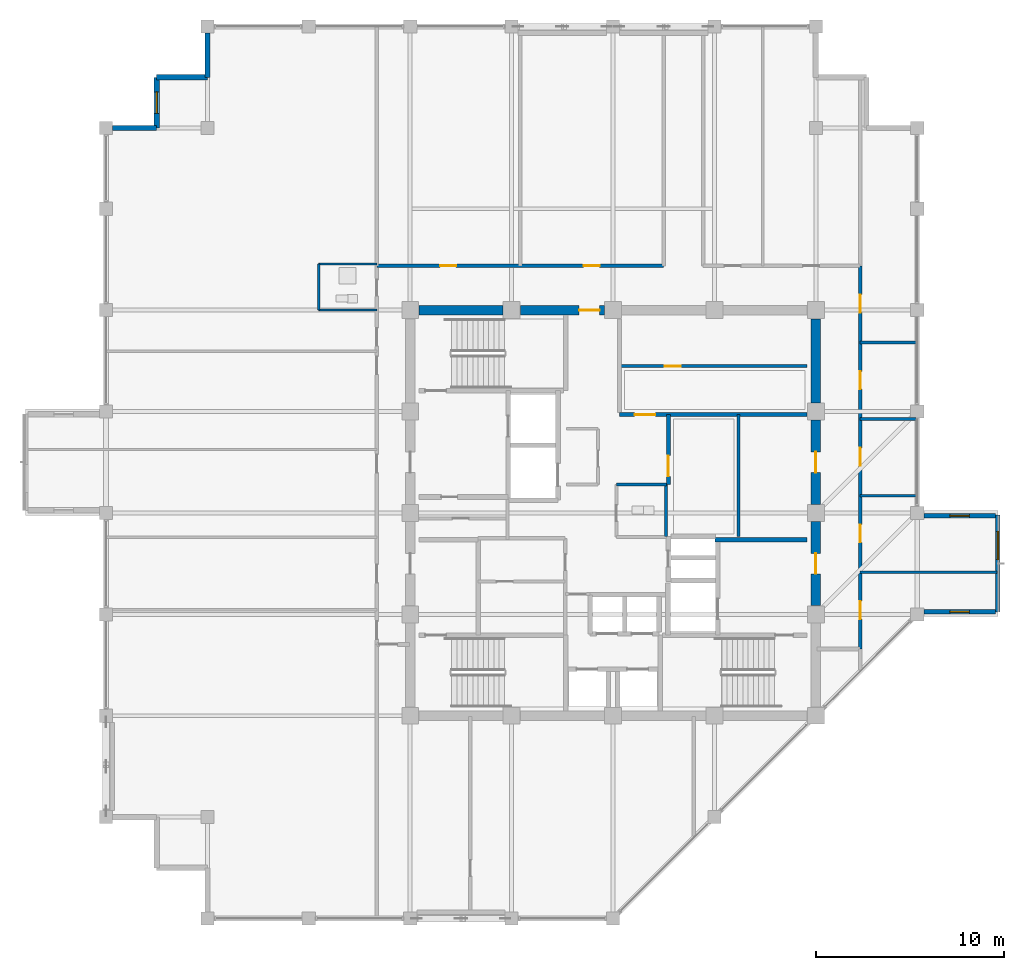
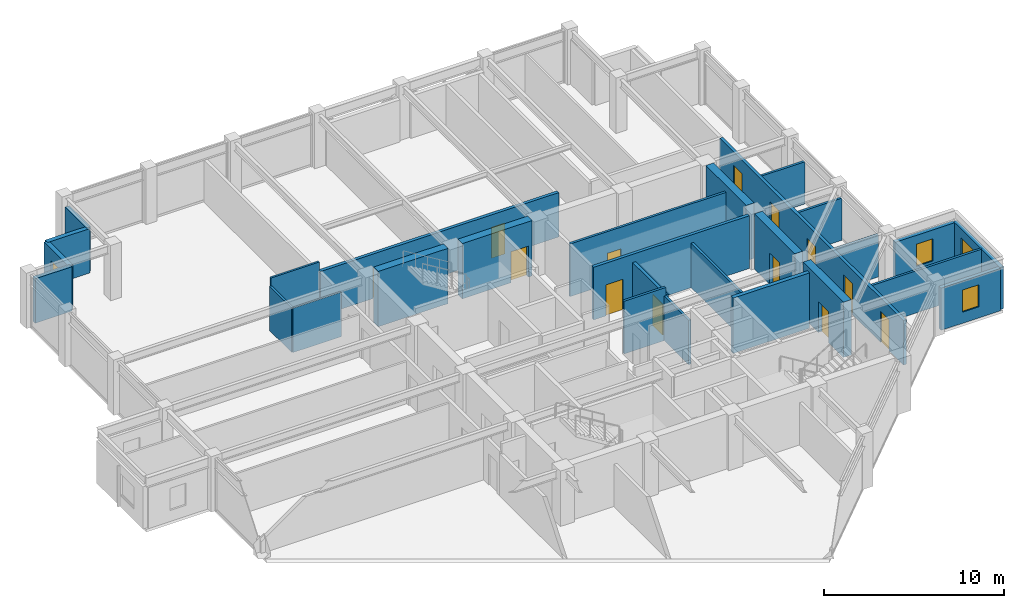
# One storey, part 27 of 31: 28 walls, 13 doors, 4 windows, 17 openings.
"""IFC4 building model written with IfcOpenShell, lengths in metres."""

from ifc_helpers import new_model, si_unit, direction, frame, frame_2d, origin, place, context, subcontext, project, spatial, rectangle, extrude, material, layer, layer_set, type_object, element, fill, save


model = new_model("IFC4")

# Units and contexts
model_context = context("Model", 3, precision=1e-05, world=origin(), true_north=direction((0.0, 1.0)))
body_context = subcontext(model_context, "Body", "Model", "MODEL_VIEW")
ifc_project = project(units=[si_unit("LENGTHUNIT", "METRE"), si_unit("AREAUNIT", "SQUARE_METRE"), si_unit("VOLUMEUNIT", "CUBIC_METRE"), si_unit("PLANEANGLEUNIT", "RADIAN"), si_unit("MASSUNIT", "GRAM", prefix="KILO")], contexts=[model_context])

# Site, building, storey
site_placement = place(None, origin())
site = spatial("IfcSite", under=ifc_project, at=site_placement, CompositionType="ELEMENT")
building_placement = place(site_placement, origin())
building = spatial("IfcBuilding", under=site, at=building_placement, Name="Surkhivell Harbour Commons", CompositionType="ELEMENT")
storey_placement = place(building_placement, frame((0.0, 0.0, 318.75)))
storey = spatial("IfcBuildingStorey", under=building, at=storey_placement, Name="L83", CompositionType="ELEMENT", Elevation=318.75)

# Wall
ifc_material_1 = material(Name="Concrete C50/60", Category="concrete")
ifc_layer_1 = layer(ifc_material_1, 0.5)
ifc_layer_set_1 = layer_set([ifc_layer_1], Name="Concrete C50/60")
wall_type_1 = type_object("IfcWallType", Name="WAL-CORE-500", PredefinedType="SHEAR", material=ifc_layer_set_1)
wall_1_placement = place(storey_placement, frame((-10.340087890625, 10.800048828125, 0.0), z_axis=(0.0, 0.0, 1.0), x_axis=(1.0, 0.0, 0.0)))
element("IfcWall", 1, at=wall_1_placement, inside=storey, type_object=wall_type_1, Name="L83 Core Shear Wall North 1", PredefinedType="SHEAR", context=body_context, shape_type="SweptSolid", body=[
    extrude(rectangle(XDim=4.47998046875, YDim=0.5, at=frame_2d((2.239990234375, 0.0))), origin(), (0.0, 0.0, 1.0), 3.75),
])

# Wall, opening, door
wall_2_placement = place(storey_placement, frame((-4.93994140625, 10.800048828125, 0.0), z_axis=(0.0, 0.0, 1.0), x_axis=(1.0, 0.0, 0.0)))
wall_2 = element("IfcWall", 2, at=wall_2_placement, inside=storey, type_object=wall_type_1, Name="L83 Core Shear Wall North 2", PredefinedType="SHEAR", context=body_context, shape_type="SweptSolid", body=[
    extrude(rectangle(XDim=4.47998046875, YDim=0.5, at=frame_2d((2.239990234375, 0.0))), origin(), (0.0, 0.0, 1.0), 3.75),
])
opening_1_placement = place(wall_2_placement, frame((3.1298828125, 0.0, 0.0)))
opening_1 = element("IfcOpeningElement", 3, at=opening_1_placement, cuts=wall_2, Name="Opening ID-2", PredefinedType="OPENING", context=body_context, shape_type="SweptSolid", body=[
    extrude(rectangle(XDim=1.10009765625, YDim=2.10009765625, at=frame_2d((0.550048828125, 1.050048828125))), frame((0.0, 0.260009765625, 0.0), z_axis=(0.0, -1.0, 0.0), x_axis=(1.0, 0.0, 0.0)), (0.0, 0.0, 1.0), 0.52001953125),
])
ifc_material_2 = material(Name="Hardwood-veneered fire-rated door leaf", Category="wood")
door_type_1 = type_object("IfcDoorType", Name="DOR-FD60-1100", OperationType="NOTDEFINED", PredefinedType="DOOR", material=ifc_material_2)
door_1_placement = place(opening_1_placement, origin())
door_1 = element("IfcDoor", 4, at=door_1_placement, inside=storey, type_object=door_type_1, Name="L83 Central Core Lift Hall North Corridor Door", OperationType="SINGLE_SWING_LEFT", OverallHeight=2.10009765625, OverallWidth=1.10009765625, PredefinedType="DOOR", context=body_context, shape_type="SweptSolid", body=[
    extrude(rectangle(XDim=1.10009765625, YDim=2.10009765625, at=frame_2d((0.550048828125, 1.050048828125))), frame((0.0, 0.02490234375, 0.0), z_axis=(0.0, -1.0, 0.0), x_axis=(1.0, 0.0, 0.0)), (0.0, 0.0, 1.0), 0.050048828125),
])
fill(opening_1, door_1)

wall_3_placement = place(storey_placement, frame((10.800048828125, -4.93994140625, 0.0), z_axis=(0.0, 0.0, 1.0), x_axis=(0.0, 1.0, 0.0)))
wall_3 = element("IfcWall", 5, at=wall_3_placement, inside=storey, type_object=wall_type_1, Name="L83 Core Shear Wall East 2", PredefinedType="SHEAR", context=body_context, shape_type="SweptSolid", body=[
    extrude(rectangle(XDim=4.47998046875, YDim=0.5, at=frame_2d((2.239990234375, 0.0))), origin(), (0.0, 0.0, 1.0), 3.75),
])
opening_2_placement = place(wall_3_placement, frame((1.68994140625, 0.0, 0.0)))
opening_2 = element("IfcOpeningElement", 6, at=opening_2_placement, cuts=wall_3, Name="Opening ID-1", PredefinedType="OPENING", context=body_context, shape_type="SweptSolid", body=[
    extrude(rectangle(XDim=1.10009765625, YDim=2.10009765625, at=frame_2d((0.550048828125, 1.050048828125))), frame((0.0, 0.260009765625, 0.0), z_axis=(0.0, -1.0, 0.0), x_axis=(1.0, 0.0, 0.0)), (0.0, 0.0, 1.0), 0.52001953125),
])
door_type_2 = type_object("IfcDoorType", Name="DOR-FD120-1100", OperationType="NOTDEFINED", PredefinedType="DOOR", material=ifc_material_2)
door_2_placement = place(opening_2_placement, origin())
door_2 = element("IfcDoor", 7, at=door_2_placement, inside=storey, type_object=door_type_2, Name="L83 Firefighting Lobby 2 Corridor Door", OperationType="SINGLE_SWING_RIGHT", OverallHeight=2.10009765625, OverallWidth=1.10009765625, PredefinedType="DOOR", context=body_context, shape_type="SweptSolid", body=[
    extrude(rectangle(XDim=1.10009765625, YDim=2.10009765625, at=frame_2d((0.550048828125, 1.050048828125))), frame((0.0, 0.02490234375, 0.0), z_axis=(0.0, -1.0, 0.0), x_axis=(1.0, 0.0, 0.0)), (0.0, 0.0, 1.0), 0.050048828125),
])
fill(opening_2, door_2)

wall_4_placement = place(storey_placement, frame((10.800048828125, 0.4599609375, 0.0), z_axis=(0.0, 0.0, 1.0), x_axis=(0.0, 1.0, 0.0)))
wall_4 = element("IfcWall", 8, at=wall_4_placement, inside=storey, type_object=wall_type_1, Name="L83 Core Shear Wall East 3", PredefinedType="SHEAR", context=body_context, shape_type="SweptSolid", body=[
    extrude(rectangle(XDim=4.47998046875, YDim=0.5, at=frame_2d((2.239990234375, 0.0))), origin(), (0.0, 0.0, 1.0), 3.75),
])
opening_3_placement = place(wall_4_placement, frame((1.68994140625, 0.0, 0.0)))
opening_3 = element("IfcOpeningElement", 9, at=opening_3_placement, cuts=wall_4, Name="Opening ID-2", PredefinedType="OPENING", context=body_context, shape_type="SweptSolid", body=[
    extrude(rectangle(XDim=1.10009765625, YDim=2.10009765625, at=frame_2d((0.550048828125, 1.050048828125))), frame((0.0, 0.260009765625, 0.0), z_axis=(0.0, -1.0, 0.0), x_axis=(1.0, 0.0, 0.0)), (0.0, 0.0, 1.0), 0.52001953125),
])
door_3_placement = place(opening_3_placement, origin())
door_3 = element("IfcDoor", 10, at=door_3_placement, inside=storey, type_object=door_type_1, Name="L83 Core Seminar East Door", OperationType="SINGLE_SWING_RIGHT", OverallHeight=2.10009765625, OverallWidth=1.10009765625, PredefinedType="DOOR", context=body_context, shape_type="SweptSolid", body=[
    extrude(rectangle(XDim=1.10009765625, YDim=2.10009765625, at=frame_2d((0.550048828125, 1.050048828125))), frame((0.0, 0.02490234375, 0.0), z_axis=(0.0, -1.0, 0.0), x_axis=(1.0, 0.0, 0.0)), (0.0, 0.0, 1.0), 0.050048828125),
])
fill(opening_3, door_3)

# Wall
wall_5_placement = place(storey_placement, frame((10.800048828125, 5.860107421875, 0.0), z_axis=(0.0, 0.0, 1.0), x_axis=(0.0, 1.0, 0.0)))
element("IfcWall", 11, at=wall_5_placement, inside=storey, type_object=wall_type_1, Name="L83 Core Shear Wall East 4", PredefinedType="SHEAR", context=body_context, shape_type="SweptSolid", body=[
    extrude(rectangle(XDim=4.47998046875, YDim=0.5, at=frame_2d((2.239990234375, 0.0))), origin(), (0.0, 0.0, 1.0), 3.75),
])

# Wall, opening, window
ifc_material_3 = material(Name="Bronze-ochre cassette precast concrete C45/55", Category="concrete")
ifc_layer_2 = layer(ifc_material_3, 0.239990234375)
ifc_layer_set_2 = layer_set([ifc_layer_2], Name="Bronze-ochre cassette precast concrete C45/55")
wall_type_2 = type_object("IfcWallType", Name="WAL-EXT-OCH240", PredefinedType="STANDARD", material=ifc_layer_set_2)
wall_6_placement = place(storey_placement, frame((20.5, -5.280029296875, 0.0), z_axis=(0.0, 0.0, 1.0), x_axis=(0.0, 1.0, 0.0)))
wall_6 = element("IfcWall", 12, at=wall_6_placement, inside=storey, type_object=wall_type_2, Name="L83 Coloured Box Front Wall 01", PredefinedType="STANDARD", context=body_context, shape_type="SweptSolid", body=[
    extrude(rectangle(XDim=5.159912109375, YDim=0.239990234375, at=frame_2d((2.580078125, 0.0))), origin(), (0.0, 0.0, 1.0), 2.85693359375),
])
opening_4_placement = place(wall_6_placement, frame((2.800048828125, 0.0, 0.75)))
opening_4 = element("IfcOpeningElement", 13, at=opening_4_placement, cuts=wall_6, Name="Opening WN-13", PredefinedType="OPENING", context=body_context, shape_type="SweptSolid", body=[
    extrude(rectangle(XDim=1.5, YDim=1.5, at=frame_2d((0.75, 0.75))), frame((0.0, 0.1298828125, 0.0), z_axis=(0.0, -1.0, 0.0), x_axis=(1.0, 0.0, 0.0)), (0.0, 0.0, 1.0), 0.260009765625),
])
ifc_material_4 = material(Name="Thermal-break aluminium frame and double low-E glazing", Category="aluminium")
window_type_1 = type_object("IfcWindowType", Name="WIN-BOX-1500x1500", PartitioningType="SINGLE_PANEL", PredefinedType="WINDOW", material=ifc_material_4)
window_1_placement = place(opening_4_placement, origin())
window_1 = element("IfcWindow", 14, at=window_1_placement, inside=storey, type_object=window_type_1, Name="L83 Coloured Box Square Window 01-1", OverallHeight=1.5, OverallWidth=1.5, PartitioningType="SINGLE_PANEL", PredefinedType="WINDOW", context=body_context, shape_type="SweptSolid", body=[
    extrude(rectangle(XDim=1.5, YDim=1.5, at=frame_2d((0.75, 0.75))), frame((0.0, 0.030029296875, 0.0), z_axis=(0.0, -1.0, 0.0), x_axis=(1.0, 0.0, 0.0)), (0.0, 0.0, 1.0), 0.06005859375),
])
fill(opening_4, window_1)

wall_7_placement = place(storey_placement, frame((16.553955078125, -5.260009765625, 0.0), z_axis=(0.0, 0.0, 1.0), x_axis=(1.0, 0.0, 0.0)))
wall_7 = element("IfcWall", 15, at=wall_7_placement, inside=storey, type_object=wall_type_2, Name="L83 Coloured Box Return Wall 01S", PredefinedType="STANDARD", context=body_context, shape_type="SweptSolid", body=[
    extrude(rectangle(XDim=3.80615234375, YDim=0.239990234375, at=frame_2d((1.903076171875, 0.0))), origin(), (0.0, 0.0, 1.0), 2.85693359375),
])
opening_5_placement = place(wall_7_placement, frame((1.3779296875, 0.0, 0.75)))
opening_5 = element("IfcOpeningElement", 16, at=opening_5_placement, cuts=wall_7, Name="Opening WN-11", PredefinedType="OPENING", context=body_context, shape_type="SweptSolid", body=[
    extrude(rectangle(XDim=1.050048828125, YDim=1.5, at=frame_2d((0.52490234375, 0.75))), frame((0.0, 0.1298828125, 0.0), z_axis=(0.0, -1.0, 0.0), x_axis=(1.0, 0.0, 0.0)), (0.0, 0.0, 1.0), 0.260009765625),
])
window_type_2 = type_object("IfcWindowType", Name="WIN-SER-1050x1500", PartitioningType="SINGLE_PANEL", PredefinedType="WINDOW", material=ifc_material_4)
window_2_placement = place(opening_5_placement, origin())
window_2 = element("IfcWindow", 17, at=window_2_placement, inside=storey, type_object=window_type_2, Name="L83 Coloured Box Return Window 01S", OverallHeight=1.5, OverallWidth=1.050048828125, PartitioningType="SINGLE_PANEL", PredefinedType="WINDOW", context=body_context, shape_type="SweptSolid", body=[
    extrude(rectangle(XDim=1.050048828125, YDim=1.5, at=frame_2d((0.52490234375, 0.75))), frame((0.0, 0.030029296875, 0.0), z_axis=(0.0, -1.0, 0.0), x_axis=(1.0, 0.0, 0.0)), (0.0, 0.0, 1.0), 0.06005859375),
])
fill(opening_5, window_2)

wall_8_placement = place(storey_placement, frame((16.553955078125, -0.139892578125, 0.0), z_axis=(0.0, 0.0, 1.0), x_axis=(1.0, 0.0, 0.0)))
wall_8 = element("IfcWall", 18, at=wall_8_placement, inside=storey, type_object=wall_type_2, Name="L83 Coloured Box Return Wall 01N", PredefinedType="STANDARD", context=body_context, shape_type="SweptSolid", body=[
    extrude(rectangle(XDim=3.80615234375, YDim=0.239990234375, at=frame_2d((1.903076171875, 0.0))), origin(), (0.0, 0.0, 1.0), 2.85693359375),
])
opening_6_placement = place(wall_8_placement, frame((1.3779296875, 0.0, 0.75)))
opening_6 = element("IfcOpeningElement", 19, at=opening_6_placement, cuts=wall_8, Name="Opening WN-11", PredefinedType="OPENING", context=body_context, shape_type="SweptSolid", body=[
    extrude(rectangle(XDim=1.050048828125, YDim=1.5, at=frame_2d((0.52490234375, 0.75))), frame((0.0, 0.1298828125, 0.0), z_axis=(0.0, -1.0, 0.0), x_axis=(1.0, 0.0, 0.0)), (0.0, 0.0, 1.0), 0.260009765625),
])
window_3_placement = place(opening_6_placement, origin())
window_3 = element("IfcWindow", 20, at=window_3_placement, inside=storey, type_object=window_type_2, Name="L83 Coloured Box Return Window 01N", OverallHeight=1.5, OverallWidth=1.050048828125, PartitioningType="SINGLE_PANEL", PredefinedType="WINDOW", context=body_context, shape_type="SweptSolid", body=[
    extrude(rectangle(XDim=1.050048828125, YDim=1.5, at=frame_2d((0.52490234375, 0.75))), frame((0.0, 0.030029296875, 0.0), z_axis=(0.0, -1.0, 0.0), x_axis=(1.0, 0.0, 0.0)), (0.0, 0.0, 1.0), 0.06005859375),
])
fill(opening_6, window_3)

# Walls
ifc_material_5 = material(Name="Terracotta-clad reinforced concrete C45/55", Category="masonry")
ifc_layer_3 = layer(ifc_material_5, 0.280029296875)
ifc_layer_set_3 = layer_set([ifc_layer_3], Name="Terracotta-clad reinforced concrete C45/55")
wall_type_3 = type_object("IfcWallType", Name="WAL-EXT-TER280", PredefinedType="STANDARD", material=ifc_layer_set_3)
wall_9_placement = place(storey_placement, frame((-21.60009765625, 25.552001953125, 0.0), z_axis=(0.0, 0.0, 1.0), x_axis=(0.0, -1.0, 0.0)))
element("IfcWall", 21, at=wall_9_placement, inside=storey, type_object=wall_type_3, Name="L83 Serrated Corner Facade Wall 08", PredefinedType="STANDARD", context=body_context, shape_type="SweptSolid", body=[
    extrude(rectangle(XDim=2.35205078125, YDim=0.280029296875, at=frame_2d((1.176025390625, 0.0))), origin(), (0.0, 0.0, 1.0), 3.012939453125),
])
wall_10_placement = place(storey_placement, frame((-21.60009765625, 23.199951171875, 0.0), z_axis=(0.0, 0.0, 1.0), x_axis=(-1.0, 0.0, 0.0)))
element("IfcWall", 22, at=wall_10_placement, inside=storey, type_object=wall_type_3, Name="L83 Serrated Corner Facade Wall 09", PredefinedType="STANDARD", context=body_context, shape_type="SweptSolid", body=[
    extrude(rectangle(XDim=2.699951171875, YDim=0.280029296875, at=frame_2d((1.35009765625, 0.0))), origin(), (0.0, 0.0, 1.0), 3.012939453125),
])

# Wall, opening, window
wall_11_placement = place(storey_placement, frame((-24.300048828125, 23.199951171875, 0.0), z_axis=(0.0, 0.0, 1.0), x_axis=(0.0, -1.0, 0.0)))
wall_11 = element("IfcWall", 23, at=wall_11_placement, inside=storey, type_object=wall_type_3, Name="L83 Serrated Corner Facade Wall 10", PredefinedType="STANDARD", context=body_context, shape_type="SweptSolid", body=[
    extrude(rectangle(XDim=2.699951171875, YDim=0.280029296875, at=frame_2d((1.35009765625, 0.0))), origin(), (0.0, 0.0, 1.0), 3.012939453125),
])
opening_7_placement = place(wall_11_placement, frame((0.77490234375, 0.0, 0.64990234375)))
opening_7 = element("IfcOpeningElement", 24, at=opening_7_placement, cuts=wall_11, Name="Opening WN-10", PredefinedType="OPENING", context=body_context, shape_type="SweptSolid", body=[
    extrude(rectangle(XDim=1.14990234375, YDim=1.550048828125, at=frame_2d((0.574951171875, 0.77490234375))), frame((0.0, 0.14990234375, 0.0), z_axis=(0.0, -1.0, 0.0), x_axis=(1.0, 0.0, 0.0)), (0.0, 0.0, 1.0), 0.300048828125),
])
window_type_3 = type_object("IfcWindowType", Name="WIN-SER-1150x1550", PartitioningType="SINGLE_PANEL", PredefinedType="WINDOW", material=ifc_material_4)
window_4_placement = place(opening_7_placement, origin())
window_4 = element("IfcWindow", 25, at=window_4_placement, inside=storey, type_object=window_type_3, Name="L83 Serrated Alcove Window 10", OverallHeight=1.550048828125, OverallWidth=1.14990234375, PartitioningType="SINGLE_PANEL", PredefinedType="WINDOW", context=body_context, shape_type="SweptSolid", body=[
    extrude(rectangle(XDim=1.14990234375, YDim=1.550048828125, at=frame_2d((0.574951171875, 0.77490234375))), frame((0.0, 0.030029296875, 0.0), z_axis=(0.0, -1.0, 0.0), x_axis=(1.0, 0.0, 0.0)), (0.0, 0.0, 1.0), 0.06005859375),
])
fill(opening_7, window_4)

# Walls
wall_12_placement = place(storey_placement, frame((-24.300048828125, 20.5, 0.0), z_axis=(0.0, 0.0, 1.0), x_axis=(-1.0, 0.0, 0.0)))
element("IfcWall", 26, at=wall_12_placement, inside=storey, type_object=wall_type_3, Name="L83 Serrated Corner Facade Wall 11", PredefinedType="STANDARD", context=body_context, shape_type="SweptSolid", body=[
    extrude(rectangle(XDim=2.35205078125, YDim=0.280029296875, at=frame_2d((1.176025390625, 0.0))), origin(), (0.0, 0.0, 1.0), 3.012939453125),
])
ifc_material_6 = material(Name="Moisture-resistant acoustic stud partition", Category="other")
ifc_layer_4 = layer(ifc_material_6, 0.125)
ifc_layer_set_4 = layer_set([ifc_layer_4], Name="Moisture-resistant acoustic stud partition")
wall_type_4 = type_object("IfcWallType", Name="WAL-INT-125", PredefinedType="PARTITIONING", material=ifc_layer_set_4)
wall_13_placement = place(storey_placement, frame((-15.679931640625, 10.81005859375, 0.0), z_axis=(0.0, 0.0, 1.0), x_axis=(0.0, 1.0, 0.0)))
element("IfcWall", 27, at=wall_13_placement, inside=storey, type_object=wall_type_4, Name="L83 West Partition BTHB", PredefinedType="PARTITIONING", context=body_context, shape_type="SweptSolid", body=[
    extrude(rectangle(XDim=2.449951171875, YDim=0.125, at=frame_2d((1.22509765625, 0.0))), origin(), (0.0, 0.0, 1.0), 3.012939453125),
])
wall_14_placement = place(storey_placement, frame((-15.679931640625, 13.260009765625, 0.0), z_axis=(0.0, 0.0, 1.0), x_axis=(1.0, 0.0, 0.0)))
element("IfcWall", 28, at=wall_14_placement, inside=storey, type_object=wall_type_4, Name="L83 West Partition BTHN", PredefinedType="PARTITIONING", context=body_context, shape_type="SweptSolid", body=[
    extrude(rectangle(XDim=3.099853515625, YDim=0.125, at=frame_2d((1.5498046875, 0.0))), origin(), (0.0, 0.0, 1.0), 3.570068359375),
])
wall_15_placement = place(storey_placement, frame((-15.679931640625, 10.81005859375, 0.0), z_axis=(0.0, 0.0, 1.0), x_axis=(1.0, 0.0, 0.0)))
element("IfcWall", 29, at=wall_15_placement, inside=storey, type_object=wall_type_4, Name="L83 West Partition BTHS", PredefinedType="PARTITIONING", context=body_context, shape_type="SweptSolid", body=[
    extrude(rectangle(XDim=3.099853515625, YDim=0.125, at=frame_2d((1.5498046875, 0.0))), origin(), (0.0, 0.0, 1.0), 3.012939453125),
])
ifc_material_7 = material(Name="Twin-stud acoustic fireboard partition", Category="other")
ifc_layer_5 = layer(ifc_material_7, 0.14990234375)
ifc_layer_set_5 = layer_set([ifc_layer_5], Name="Twin-stud acoustic fireboard partition")
wall_type_5 = type_object("IfcWallType", Name="WAL-INT-150", PredefinedType="PARTITIONING", material=ifc_layer_set_5)
wall_16_placement = place(storey_placement, frame((2.820068359375, -1.25, 0.0), z_axis=(0.0, 0.0, 1.0), x_axis=(0.0, 1.0, 0.0)))
element("IfcWall", 30, at=wall_16_placement, inside=storey, type_object=wall_type_5, Name="L83 Core WC East Wall", PredefinedType="PARTITIONING", context=body_context, shape_type="SweptSolid", body=[
    extrude(rectangle(XDim=2.77001953125, YDim=0.14990234375, at=frame_2d((1.385009765625, 0.0))), origin(), (0.0, 0.0, 1.0), 3.012939453125),
])
wall_17_placement = place(storey_placement, frame((0.179931640625, 1.52001953125, 0.0), z_axis=(0.0, 0.0, 1.0), x_axis=(1.0, 0.0, 0.0)))
element("IfcWall", 31, at=wall_17_placement, inside=storey, type_object=wall_type_5, Name="L83 Core WC North Wall", PredefinedType="PARTITIONING", context=body_context, shape_type="SweptSolid", body=[
    extrude(rectangle(XDim=2.670166015625, YDim=0.14990234375, at=frame_2d((1.3349609375, 0.0))), origin(), (0.0, 0.0, 1.0), 3.570068359375),
])

# Wall, opening, door
wall_18_placement = place(storey_placement, frame((0.35009765625, 7.820068359375, 0.0), z_axis=(0.0, 0.0, 1.0), x_axis=(1.0, 0.0, 0.0)))
wall_18 = element("IfcWall", 32, at=wall_18_placement, inside=storey, type_object=wall_type_5, Name="L83 Core Archive Partition", PredefinedType="PARTITIONING", context=body_context, shape_type="SweptSolid", body=[
    extrude(rectangle(XDim=9.989990234375, YDim=0.14990234375, at=frame_2d((4.9951171875, 0.0))), origin(), (0.0, 0.0, 1.0), 3.570068359375),
])
opening_8_placement = place(wall_18_placement, frame((2.39990234375, 0.0, 0.0)))
opening_8 = element("IfcOpeningElement", 33, at=opening_8_placement, cuts=wall_18, Name="Opening ID-6", PredefinedType="OPENING", context=body_context, shape_type="SweptSolid", body=[
    extrude(rectangle(XDim=0.85009765625, YDim=2.10009765625, at=frame_2d((0.425048828125, 1.050048828125))), frame((0.0, 0.0849609375, 0.0), z_axis=(0.0, -1.0, 0.0), x_axis=(1.0, 0.0, 0.0)), (0.0, 0.0, 1.0), 0.169921875),
])
door_type_3 = type_object("IfcDoorType", Name="DOR-FD30-850", OperationType="NOTDEFINED", PredefinedType="DOOR", material=ifc_material_2)
door_4_placement = place(opening_8_placement, origin())
door_4 = element("IfcDoor", 34, at=door_4_placement, inside=storey, type_object=door_type_3, Name="L83 Archive Room Door", OperationType="SINGLE_SWING_LEFT", OverallHeight=2.10009765625, OverallWidth=0.85009765625, PredefinedType="DOOR", context=body_context, shape_type="SweptSolid", body=[
    extrude(rectangle(XDim=0.85009765625, YDim=2.10009765625, at=frame_2d((0.425048828125, 1.050048828125))), frame((0.0, 0.02490234375, 0.0), z_axis=(0.0, -1.0, 0.0), x_axis=(1.0, 0.0, 0.0)), (0.0, 0.0, 1.0), 0.050048828125),
])
fill(opening_8, door_4)

# Walls
wall_19_placement = place(storey_placement, frame((6.679931640625, -1.25, 0.0), z_axis=(0.0, 0.0, 1.0), x_axis=(0.0, 1.0, 0.0)))
element("IfcWall", 35, at=wall_19_placement, inside=storey, type_object=wall_type_5, Name="L83 Seminar Room Wall", PredefinedType="PARTITIONING", context=body_context, shape_type="SweptSolid", body=[
    extrude(rectangle(XDim=6.489990234375, YDim=0.14990234375, at=frame_2d((3.2451171875, 0.0))), origin(), (0.0, 0.0, 1.0), 3.012939453125),
])
wall_20_placement = place(storey_placement, frame((13.159912109375, -3.159912109375, 0.0), z_axis=(0.0, 0.0, 1.0), x_axis=(1.0, 0.0, 0.0)))
element("IfcWall", 36, at=wall_20_placement, inside=storey, type_object=wall_type_5, Name="L83 East Partition P1", PredefinedType="PARTITIONING", context=body_context, shape_type="SweptSolid", body=[
    extrude(rectangle(XDim=7.280029296875, YDim=0.14990234375, at=frame_2d((3.64013671875, 0.0))), origin(), (0.0, 0.0, 1.0), 2.85693359375),
])
for number, where, z_axis, x_axis, name in (
    (37, (13.159912109375, 0.919921875, 0.0), (0.0, 0.0, 1.0), (1.0, 0.0, 0.0), "L83 East Partition P2"),
    (38, (13.159912109375, 5.0, 0.0), (0.0, 0.0, 1.0), (1.0, 0.0, 0.0), "L83 East Partition P3"),
    (39, (13.159912109375, 9.080078125, 0.0), (0.0, 0.0, 1.0), (1.0, 0.0, 0.0), "L83 East Partition P4"),
):
    element("IfcWall", number, at=place(storey_placement, frame(where, z_axis=z_axis, x_axis=x_axis)), inside=storey, type_object=wall_type_5, Name=name, PredefinedType="PARTITIONING", context=body_context, shape_type="SweptSolid", body=[
        extrude(rectangle(XDim=2.97998046875, YDim=0.14990234375, at=frame_2d((1.489990234375, 0.0))), origin(), (0.0, 0.0, 1.0), 2.85693359375),
    ])

# Wall, opening, door
ifc_material_8 = material(Name="Autoclaved aerated concrete blockwork and fire plaster", Category="masonry")
ifc_layer_6 = layer(ifc_material_8, 0.199951171875)
ifc_layer_set_6 = layer_set([ifc_layer_6], Name="Autoclaved aerated concrete blockwork and fire plaster")
wall_type_6 = type_object("IfcWallType", Name="WAL-INT-200", PredefinedType="PARTITIONING", material=ifc_layer_set_6)
wall_21_placement = place(storey_placement, frame((0.35009765625, 5.239990234375, 0.0), z_axis=(0.0, 0.0, 1.0), x_axis=(1.0, 0.0, 0.0)))
wall_21 = element("IfcWall", 40, at=wall_21_placement, inside=storey, type_object=wall_type_6, Name="L83 Reclaimed Core North Bay South Wall", PredefinedType="PARTITIONING", context=body_context, shape_type="SweptSolid", body=[
    extrude(rectangle(XDim=9.989990234375, YDim=0.199951171875, at=frame_2d((4.9951171875, 0.0))), origin(), (0.0, 0.0, 1.0), 3.570068359375),
])
opening_9_placement = place(wall_21_placement, frame((0.800048828125, 0.0, 0.0)))
opening_9 = element("IfcOpeningElement", 41, at=opening_9_placement, cuts=wall_21, Name="Opening ID-2", PredefinedType="OPENING", context=body_context, shape_type="SweptSolid", body=[
    extrude(rectangle(XDim=1.10009765625, YDim=2.10009765625, at=frame_2d((0.550048828125, 1.050048828125))), frame((0.0, 0.10986328125, 0.0), z_axis=(0.0, -1.0, 0.0), x_axis=(1.0, 0.0, 0.0)), (0.0, 0.0, 1.0), 0.219970703125),
])
door_5_placement = place(opening_9_placement, origin())
door_5 = element("IfcDoor", 42, at=door_5_placement, inside=storey, type_object=door_type_1, Name="L83 Study Alcove Door", OperationType="SINGLE_SWING_RIGHT", OverallHeight=2.10009765625, OverallWidth=1.10009765625, PredefinedType="DOOR", context=body_context, shape_type="SweptSolid", body=[
    extrude(rectangle(XDim=1.10009765625, YDim=2.10009765625, at=frame_2d((0.550048828125, 1.050048828125))), frame((0.0, 0.02490234375, 0.0), z_axis=(0.0, -1.0, 0.0), x_axis=(1.0, 0.0, 0.0)), (0.0, 0.0, 1.0), 0.050048828125),
])
fill(opening_9, door_5)

# Wall, openings, doors
wall_22_placement = place(storey_placement, frame((13.159912109375, -7.239990234375, 0.0), z_axis=(0.0, 0.0, 1.0), x_axis=(0.0, 1.0, 0.0)))
wall_22 = element("IfcWall", 43, at=wall_22_placement, inside=storey, type_object=wall_type_6, Name="L83 East Corridor Wall", PredefinedType="PARTITIONING", context=body_context, shape_type="SweptSolid", body=[
    extrude(rectangle(XDim=20.39990234375, YDim=0.199951171875, at=frame_2d((10.199951171875, 0.0))), origin(), (0.0, 0.0, 1.0), 3.012939453125),
])
opening_10_placement = place(wall_22_placement, frame((1.590087890625, 0.0, 0.0)))
opening_10 = element("IfcOpeningElement", 44, at=opening_10_placement, cuts=wall_22, Name="Opening ID-4", PredefinedType="OPENING", context=body_context, shape_type="SweptSolid", body=[
    extrude(rectangle(XDim=0.949951171875, YDim=2.10009765625, at=frame_2d((0.47509765625, 1.050048828125))), frame((0.0, 0.10986328125, 0.0), z_axis=(0.0, -1.0, 0.0), x_axis=(1.0, 0.0, 0.0)), (0.0, 0.0, 1.0), 0.219970703125),
])
opening_11_placement = place(wall_22_placement, frame((5.669921875, 0.0, 0.0)))
opening_11 = element("IfcOpeningElement", 45, at=opening_11_placement, cuts=wall_22, Name="Opening ID-4", PredefinedType="OPENING", context=body_context, shape_type="SweptSolid", body=[
    extrude(rectangle(XDim=0.949951171875, YDim=2.10009765625, at=frame_2d((0.47509765625, 1.050048828125))), frame((0.0, 0.10986328125, 0.0), z_axis=(0.0, -1.0, 0.0), x_axis=(1.0, 0.0, 0.0)), (0.0, 0.0, 1.0), 0.219970703125),
])
opening_12_placement = place(wall_22_placement, frame((9.75, 0.0, 0.0)))
opening_12 = element("IfcOpeningElement", 46, at=opening_12_placement, cuts=wall_22, Name="Opening ID-4", PredefinedType="OPENING", context=body_context, shape_type="SweptSolid", body=[
    extrude(rectangle(XDim=0.949951171875, YDim=2.10009765625, at=frame_2d((0.47509765625, 1.050048828125))), frame((0.0, 0.10986328125, 0.0), z_axis=(0.0, -1.0, 0.0), x_axis=(1.0, 0.0, 0.0)), (0.0, 0.0, 1.0), 0.219970703125),
])
opening_13_placement = place(wall_22_placement, frame((13.830078125, 0.0, 0.0)))
opening_13 = element("IfcOpeningElement", 47, at=opening_13_placement, cuts=wall_22, Name="Opening ID-4", PredefinedType="OPENING", context=body_context, shape_type="SweptSolid", body=[
    extrude(rectangle(XDim=0.949951171875, YDim=2.10009765625, at=frame_2d((0.47509765625, 1.050048828125))), frame((0.0, 0.10986328125, 0.0), z_axis=(0.0, -1.0, 0.0), x_axis=(1.0, 0.0, 0.0)), (0.0, 0.0, 1.0), 0.219970703125),
])
opening_14_placement = place(wall_22_placement, frame((17.909912109375, 0.0, 0.0)))
opening_14 = element("IfcOpeningElement", 48, at=opening_14_placement, cuts=wall_22, Name="Opening ID-4", PredefinedType="OPENING", context=body_context, shape_type="SweptSolid", body=[
    extrude(rectangle(XDim=0.949951171875, YDim=2.10009765625, at=frame_2d((0.47509765625, 1.050048828125))), frame((0.0, 0.10986328125, 0.0), z_axis=(0.0, -1.0, 0.0), x_axis=(1.0, 0.0, 0.0)), (0.0, 0.0, 1.0), 0.219970703125),
])
door_type_4 = type_object("IfcDoorType", Name="DOR-FD60-950", OperationType="NOTDEFINED", PredefinedType="DOOR", material=ifc_material_2)
door_6_placement = place(opening_10_placement, origin())
door_6 = element("IfcDoor", 49, at=door_6_placement, inside=storey, type_object=door_type_4, Name="L83 Co-Working Study Office Pod 1 East Door", OperationType="SINGLE_SWING_RIGHT", OverallHeight=2.10009765625, OverallWidth=0.949951171875, PredefinedType="DOOR", context=body_context, shape_type="SweptSolid", body=[
    extrude(rectangle(XDim=0.949951171875, YDim=2.10009765625, at=frame_2d((0.47509765625, 1.050048828125))), frame((0.0, 0.02490234375, 0.0), z_axis=(0.0, -1.0, 0.0), x_axis=(1.0, 0.0, 0.0)), (0.0, 0.0, 1.0), 0.050048828125),
])
fill(opening_10, door_6)
door_7_placement = place(opening_11_placement, origin())
door_7 = element("IfcDoor", 50, at=door_7_placement, inside=storey, type_object=door_type_4, Name="L83 Academic Seminar Pod 2 East Door", OperationType="SINGLE_SWING_LEFT", OverallHeight=2.10009765625, OverallWidth=0.949951171875, PredefinedType="DOOR", context=body_context, shape_type="SweptSolid", body=[
    extrude(rectangle(XDim=0.949951171875, YDim=2.10009765625, at=frame_2d((0.47509765625, 1.050048828125))), frame((0.0, 0.02490234375, 0.0), z_axis=(0.0, -1.0, 0.0), x_axis=(1.0, 0.0, 0.0)), (0.0, 0.0, 1.0), 0.050048828125),
])
fill(opening_11, door_7)
door_8_placement = place(opening_12_placement, origin())
door_8 = element("IfcDoor", 51, at=door_8_placement, inside=storey, type_object=door_type_4, Name="L83 Harbour Espresso Cafe Shop 3 East Door", OperationType="SINGLE_SWING_RIGHT", OverallHeight=2.10009765625, OverallWidth=0.949951171875, PredefinedType="DOOR", context=body_context, shape_type="SweptSolid", body=[
    extrude(rectangle(XDim=0.949951171875, YDim=2.10009765625, at=frame_2d((0.47509765625, 1.050048828125))), frame((0.0, 0.02490234375, 0.0), z_axis=(0.0, -1.0, 0.0), x_axis=(1.0, 0.0, 0.0)), (0.0, 0.0, 1.0), 0.050048828125),
])
fill(opening_12, door_8)
door_9_placement = place(opening_13_placement, origin())
door_9 = element("IfcDoor", 52, at=door_9_placement, inside=storey, type_object=door_type_4, Name="L83 Zone Concierge Reception Foyer 4 East Door", OperationType="SINGLE_SWING_LEFT", OverallHeight=2.10009765625, OverallWidth=0.949951171875, PredefinedType="DOOR", context=body_context, shape_type="SweptSolid", body=[
    extrude(rectangle(XDim=0.949951171875, YDim=2.10009765625, at=frame_2d((0.47509765625, 1.050048828125))), frame((0.0, 0.02490234375, 0.0), z_axis=(0.0, -1.0, 0.0), x_axis=(1.0, 0.0, 0.0)), (0.0, 0.0, 1.0), 0.050048828125),
])
fill(opening_13, door_9)
door_10_placement = place(opening_14_placement, origin())
door_10 = element("IfcDoor", 53, at=door_10_placement, inside=storey, type_object=door_type_4, Name="L83 Shared Communal Kitchen 5 East Door", OperationType="SINGLE_SWING_RIGHT", OverallHeight=2.10009765625, OverallWidth=0.949951171875, PredefinedType="DOOR", context=body_context, shape_type="SweptSolid", body=[
    extrude(rectangle(XDim=0.949951171875, YDim=2.10009765625, at=frame_2d((0.47509765625, 1.050048828125))), frame((0.0, 0.02490234375, 0.0), z_axis=(0.0, -1.0, 0.0), x_axis=(1.0, 0.0, 0.0)), (0.0, 0.0, 1.0), 0.050048828125),
])
fill(opening_14, door_10)

wall_23_placement = place(storey_placement, frame((-12.580078125, 13.159912109375, 0.0), z_axis=(0.0, 0.0, 1.0), x_axis=(1.0, 0.0, 0.0)))
wall_23 = element("IfcWall", 54, at=wall_23_placement, inside=storey, type_object=wall_type_6, Name="L83 North-West Corridor Wall", PredefinedType="PARTITIONING", context=body_context, shape_type="SweptSolid", body=[
    extrude(rectangle(XDim=15.280029296875, YDim=0.199951171875, at=frame_2d((7.64013671875, 0.0))), origin(), (0.0, 0.0, 1.0), 3.012939453125),
])
opening_15_placement = place(wall_23_placement, frame((3.3701171875, 0.0, 0.0)))
opening_15 = element("IfcOpeningElement", 55, at=opening_15_placement, cuts=wall_23, Name="Opening ID-6", PredefinedType="OPENING", context=body_context, shape_type="SweptSolid", body=[
    extrude(rectangle(XDim=0.85009765625, YDim=2.10009765625, at=frame_2d((0.425048828125, 1.050048828125))), frame((0.0, 0.10986328125, 0.0), z_axis=(0.0, -1.0, 0.0), x_axis=(1.0, 0.0, 0.0)), (0.0, 0.0, 1.0), 0.219970703125),
])
opening_16_placement = place(wall_23_placement, frame((11.010009765625, 0.0, 0.0)))
opening_16 = element("IfcOpeningElement", 56, at=opening_16_placement, cuts=wall_23, Name="Opening ID-6", PredefinedType="OPENING", context=body_context, shape_type="SweptSolid", body=[
    extrude(rectangle(XDim=0.85009765625, YDim=2.10009765625, at=frame_2d((0.425048828125, 1.050048828125))), frame((0.0, 0.10986328125, 0.0), z_axis=(0.0, -1.0, 0.0), x_axis=(1.0, 0.0, 0.0)), (0.0, 0.0, 1.0), 0.219970703125),
])
door_11_placement = place(opening_15_placement, origin())
door_11 = element("IfcDoor", 57, at=door_11_placement, inside=storey, type_object=door_type_3, Name="L83 Campus Co-Op Bookshop North-West Door", OperationType="SINGLE_SWING_RIGHT", OverallHeight=2.10009765625, OverallWidth=0.85009765625, PredefinedType="DOOR", context=body_context, shape_type="SweptSolid", body=[
    extrude(rectangle(XDim=0.85009765625, YDim=2.10009765625, at=frame_2d((0.425048828125, 1.050048828125))), frame((0.0, 0.02490234375, 0.0), z_axis=(0.0, -1.0, 0.0), x_axis=(1.0, 0.0, 0.0)), (0.0, 0.0, 1.0), 0.050048828125),
])
fill(opening_15, door_11)
door_12_placement = place(opening_16_placement, origin())
door_12 = element("IfcDoor", 58, at=door_12_placement, inside=storey, type_object=door_type_3, Name="L83 Harbour Espresso Cafe Shop North-West Door", OperationType="SINGLE_SWING_LEFT", OverallHeight=2.10009765625, OverallWidth=0.85009765625, PredefinedType="DOOR", context=body_context, shape_type="SweptSolid", body=[
    extrude(rectangle(XDim=0.85009765625, YDim=2.10009765625, at=frame_2d((0.425048828125, 1.050048828125))), frame((0.0, 0.02490234375, 0.0), z_axis=(0.0, -1.0, 0.0), x_axis=(1.0, 0.0, 0.0)), (0.0, 0.0, 1.0), 0.050048828125),
])
fill(opening_16, door_12)

# Wall, opening, door
wall_24_placement = place(storey_placement, frame((2.949951171875, 1.52001953125, 0.0), z_axis=(0.0, 0.0, 1.0), x_axis=(0.0, 1.0, 0.0)))
wall_24 = element("IfcWall", 59, at=wall_24_placement, inside=storey, type_object=wall_type_6, Name="L83 Reclaimed East Core West Wall", PredefinedType="PARTITIONING", context=body_context, shape_type="SweptSolid", body=[
    extrude(rectangle(XDim=3.719970703125, YDim=0.199951171875, at=frame_2d((1.85986328125, 0.0))), origin(), (0.0, 0.0, 1.0), 3.012939453125),
])
opening_17_placement = place(wall_24_placement, frame((0.429931640625, 0.0, 0.0)))
opening_17 = element("IfcOpeningElement", 60, at=opening_17_placement, cuts=wall_24, Name="Opening ID-2", PredefinedType="OPENING", context=body_context, shape_type="SweptSolid", body=[
    extrude(rectangle(XDim=1.10009765625, YDim=2.10009765625, at=frame_2d((0.550048828125, 1.050048828125))), frame((0.0, 0.10986328125, 0.0), z_axis=(0.0, -1.0, 0.0), x_axis=(1.0, 0.0, 0.0)), (0.0, 0.0, 1.0), 0.219970703125),
])
door_13_placement = place(opening_17_placement, origin())
door_13 = element("IfcDoor", 61, at=door_13_placement, inside=storey, type_object=door_type_1, Name="L83 Reading Gallery Door", OperationType="SINGLE_SWING_LEFT", OverallHeight=2.10009765625, OverallWidth=1.10009765625, PredefinedType="DOOR", context=body_context, shape_type="SweptSolid", body=[
    extrude(rectangle(XDim=1.10009765625, YDim=2.10009765625, at=frame_2d((0.550048828125, 1.050048828125))), frame((0.0, 0.02490234375, 0.0), z_axis=(0.0, -1.0, 0.0), x_axis=(1.0, 0.0, 0.0)), (0.0, 0.0, 1.0), 0.050048828125),
])
fill(opening_17, door_13)

# Wall
ifc_layer_7 = layer(ifc_material_1, 0.25)
ifc_layer_set_7 = layer_set([ifc_layer_7], Name="Concrete C50/60")
wall_type_7 = type_object("IfcWallType", Name="WAL-SHAFT-250", PredefinedType="SHEAR", material=ifc_layer_set_7)
wall_25_placement = place(storey_placement, frame((5.43994140625, -1.419921875, 0.0), z_axis=(0.0, 0.0, 1.0), x_axis=(1.0, 0.0, 0.0)))
element("IfcWall", 62, at=wall_25_placement, inside=storey, type_object=wall_type_7, Name="L83 Firefighting Lobby 2 North Wall", PredefinedType="SHEAR", context=body_context, shape_type="SweptSolid", body=[
    extrude(rectangle(XDim=4.900146484375, YDim=0.25, at=frame_2d((2.4501953125, 0.0))), origin(), (0.0, 0.0, 1.0), 3.75),
])

save(model, "model.ifc")
